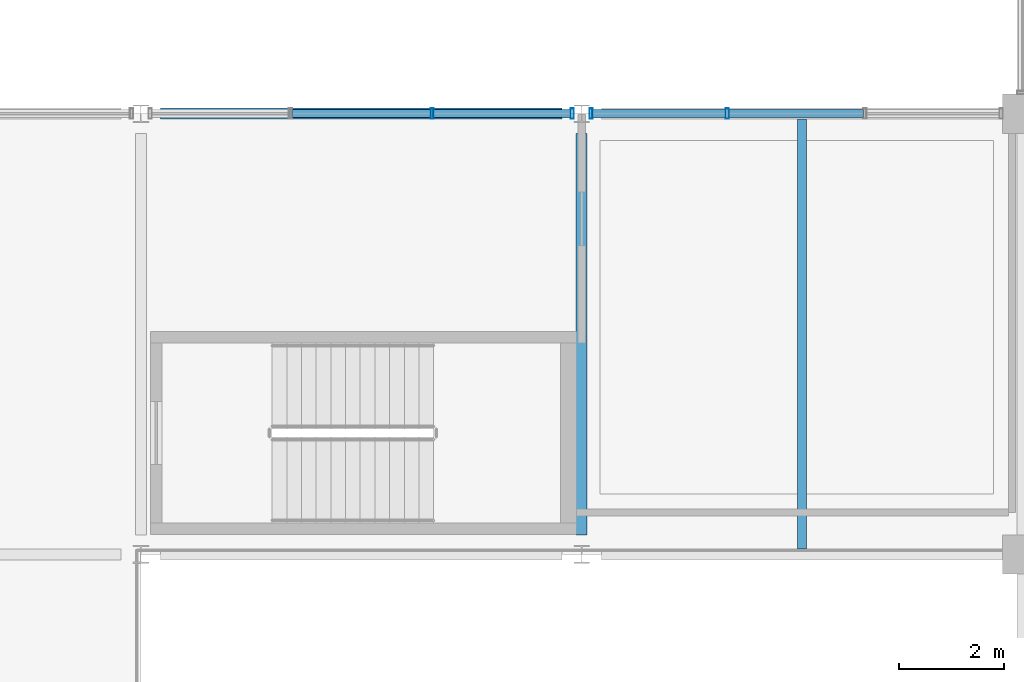
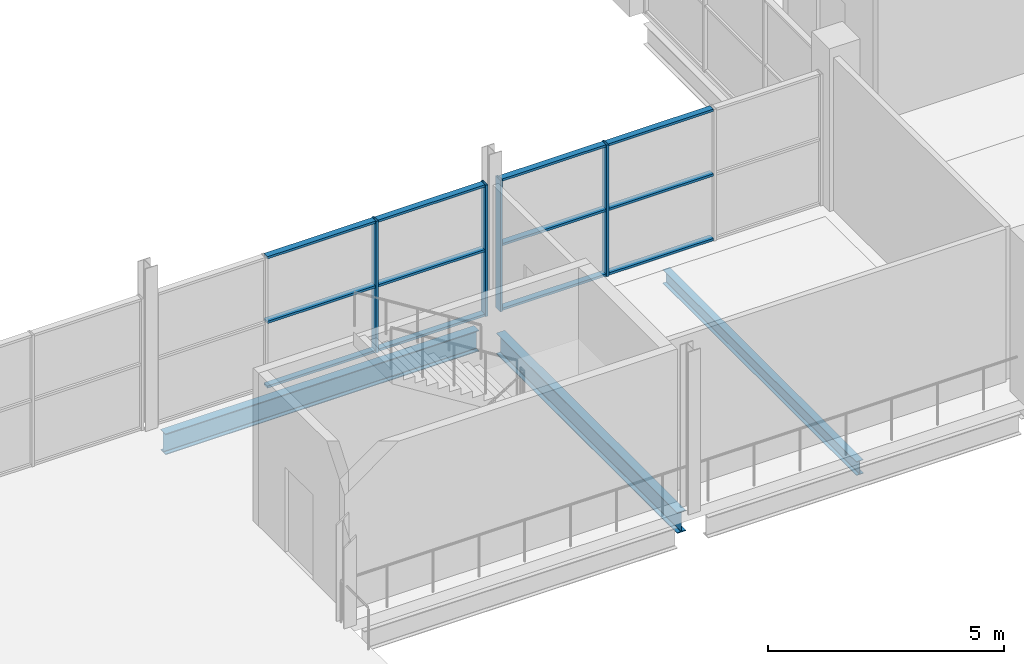
# One storey, part 51 of 161: 16 members, 3 beams, 2 elements without a shape of their own.
"""IFC4 building model written with IfcOpenShell, lengths in metres."""

from ifc_helpers import new_model, si_unit, direction, frame, origin, origin_2d, place, context, subcontext, project, spatial, hollow_rectangle, i_section, extrude, material, material_profile, profile_set, type_object, element, aggregate, save


model = new_model("IFC4")

# Units and contexts
model_context = context("Model", 3, precision=1e-05, world=origin(), true_north=direction((0.0, 1.0)))
body_context = subcontext(model_context, "Body", "Model", "MODEL_VIEW")
ifc_project = project(units=[si_unit("LENGTHUNIT", "METRE"), si_unit("AREAUNIT", "SQUARE_METRE"), si_unit("VOLUMEUNIT", "CUBIC_METRE"), si_unit("PLANEANGLEUNIT", "RADIAN"), si_unit("MASSUNIT", "GRAM", prefix="KILO"), si_unit("THERMODYNAMICTEMPERATUREUNIT", "KELVIN")], contexts=[model_context])

# Site, building, storey
site_placement = place(None, origin())
site = spatial("IfcSite", under=ifc_project, at=site_placement, CompositionType="ELEMENT")
building_placement = place(site_placement, origin())
building = spatial("IfcBuilding", under=site, at=building_placement, Name="Nduvali Passage Aquatics Centre", CompositionType="ELEMENT")
storey_placement = place(building_placement, frame((0.0, 0.0, 4.800048828125)))
storey = spatial("IfcBuildingStorey", under=building, at=storey_placement, Name="L01", CompositionType="ELEMENT", Elevation=4.800048828125)

# Curtain wall, members
ifc_material_1 = material(Name="Aluminium EN AW-6063 T6", Category="aluminium")
curtain_wall_type = type_object("IfcCurtainWallType", Name="ENV-CW-DIVE", PredefinedType="NOTDEFINED", material=ifc_material_1)
curtain_wall_1_placement = place(storey_placement, origin())
curtain_wall_1 = element("IfcCurtainWall", 1, at=curtain_wall_1_placement, inside=storey, type_object=curtain_wall_type, Name="L01 Diving Gallery Clerestory CW 157", PredefinedType="NOTDEFINED")
ifc_material_profile_1 = material_profile(ifc_material_1, hollow_rectangle(XDim=0.06005859375, YDim=0.199951171875, WallThickness=0.00390625, at=origin_2d()), Name="ALU MULLION 60x200x4")
ifc_profile_set_1 = profile_set([ifc_material_profile_1], Name="Aluminium EN AW-6063 T6")
member_type_1 = type_object("IfcMemberType", Name="ENV-MEM-MUL80", PredefinedType="MULLION", material=ifc_profile_set_1)
member_1_placement = place(storey_placement, frame((13.949951171875, 84.0, 0.0), z_axis=(0.0, 0.0, 1.0), x_axis=(1.0, 0.0, 0.0)))
member_1 = element("IfcMember", 2, at=member_1_placement, type_object=member_type_1, Name="Diving Gallery Clerestory CW Mullion 3", PredefinedType="MULLION", context=body_context, shape_type="SweptSolid", body=[
    extrude(hollow_rectangle(XDim=0.06005859375, YDim=0.199951171875, WallThickness=0.00390625, at=origin_2d()), origin(), (0.0, 0.0, 1.0), 3.396484375),
])
member_2_placement = place(storey_placement, frame((16.6201171875, 84.0, 0.0), z_axis=(0.0, 0.0, 1.0), x_axis=(1.0, 0.0, 0.0)))
member_2 = element("IfcMember", 3, at=member_2_placement, type_object=member_type_1, Name="Diving Gallery Clerestory CW Mullion 4", PredefinedType="MULLION", context=body_context, shape_type="SweptSolid", body=[
    extrude(hollow_rectangle(XDim=0.06005859375, YDim=0.199951171875, WallThickness=0.00390625, at=origin_2d()), origin(), (0.0, 0.0, 1.0), 3.396484375),
])

curtain_wall_2_placement = place(storey_placement, origin())
curtain_wall_2 = element("IfcCurtainWall", 4, at=curtain_wall_2_placement, inside=storey, type_object=curtain_wall_type, Name="L01 Diving Gallery Clerestory CW 159", PredefinedType="NOTDEFINED")
member_3_placement = place(storey_placement, frame((16.97998046875, 84.0, 0.0), z_axis=(0.0, 0.0, 1.0), x_axis=(1.0, 0.0, 0.0)))
member_3 = element("IfcMember", 5, at=member_3_placement, type_object=member_type_1, Name="Diving Gallery Clerestory CW Mullion 1", PredefinedType="MULLION", context=body_context, shape_type="SweptSolid", body=[
    extrude(hollow_rectangle(XDim=0.06005859375, YDim=0.199951171875, WallThickness=0.00390625, at=origin_2d()), origin(), (0.0, 0.0, 1.0), 3.396484375),
])
member_4_placement = place(storey_placement, frame((19.574951171875, 84.0, 0.0), z_axis=(0.0, 0.0, 1.0), x_axis=(1.0, 0.0, 0.0)))
member_4 = element("IfcMember", 6, at=member_4_placement, type_object=member_type_1, Name="Diving Gallery Clerestory CW Mullion 2", PredefinedType="MULLION", context=body_context, shape_type="SweptSolid", body=[
    extrude(hollow_rectangle(XDim=0.06005859375, YDim=0.199951171875, WallThickness=0.00390625, at=origin_2d()), origin(), (0.0, 0.0, 1.0), 3.396484375),
])

# Member
ifc_material_profile_2 = material_profile(ifc_material_1, hollow_rectangle(XDim=0.14990234375, YDim=0.06005859375, WallThickness=0.00390625, at=origin_2d()), Name="ALU TRANSOM 150x60x4")
ifc_profile_set_2 = profile_set([ifc_material_profile_2], Name="Aluminium EN AW-6063 T6")
member_type_2 = type_object("IfcMemberType", Name="ENV-MEM-TRN80", PredefinedType="USERDEFINED", material=ifc_profile_set_2)
member_5_placement = place(storey_placement, frame((11.280029296875, 84.0, 0.030029296875), z_axis=(1.0, 0.0, 0.0), x_axis=(0.0, 1.0, 0.0)))
member_5 = element("IfcMember", 7, at=member_5_placement, type_object=member_type_2, Name="Diving Gallery Clerestory CW Transom B2-R0", ObjectType="TRANSOM", PredefinedType="USERDEFINED", context=body_context, shape_type="SweptSolid", body=[
    extrude(hollow_rectangle(XDim=0.14990234375, YDim=0.06005859375, WallThickness=0.00390625, at=origin_2d()), origin(), (0.0, 0.0, 1.0), 2.639892578125),
])

member_6_placement = place(storey_placement, frame((11.280029296875, 84.0, 1.6982421875), z_axis=(1.0, 0.0, 0.0), x_axis=(0.0, 1.0, 0.0)))
member_6 = element("IfcMember", 8, at=member_6_placement, type_object=member_type_2, Name="Diving Gallery Clerestory CW Transom B2-R1", ObjectType="TRANSOM", PredefinedType="USERDEFINED", context=body_context, shape_type="SweptSolid", body=[
    extrude(hollow_rectangle(XDim=0.14990234375, YDim=0.06005859375, WallThickness=0.00390625, at=origin_2d()), origin(), (0.0, 0.0, 1.0), 2.639892578125),
])

member_7_placement = place(storey_placement, frame((11.280029296875, 84.0, 3.366455078125), z_axis=(1.0, 0.0, 0.0), x_axis=(0.0, 1.0, 0.0)))
member_7 = element("IfcMember", 9, at=member_7_placement, type_object=member_type_2, Name="Diving Gallery Clerestory CW Transom B2-R2", ObjectType="TRANSOM", PredefinedType="USERDEFINED", context=body_context, shape_type="SweptSolid", body=[
    extrude(hollow_rectangle(XDim=0.14990234375, YDim=0.06005859375, WallThickness=0.00390625, at=origin_2d()), origin(), (0.0, 0.0, 1.0), 2.639892578125),
])

member_8_placement = place(storey_placement, frame((13.97998046875, 84.0, 0.030029296875), z_axis=(1.0, 0.0, 0.0), x_axis=(0.0, 1.0, 0.0)))
member_8 = element("IfcMember", 10, at=member_8_placement, type_object=member_type_2, Name="Diving Gallery Clerestory CW Transom B3-R0", ObjectType="TRANSOM", PredefinedType="USERDEFINED", context=body_context, shape_type="SweptSolid", body=[
    extrude(hollow_rectangle(XDim=0.14990234375, YDim=0.06005859375, WallThickness=0.00390625, at=origin_2d()), origin(), (0.0, 0.0, 1.0), 2.610107421875),
])

member_9_placement = place(storey_placement, frame((13.97998046875, 84.0, 1.6982421875), z_axis=(1.0, 0.0, 0.0), x_axis=(0.0, 1.0, 0.0)))
member_9 = element("IfcMember", 11, at=member_9_placement, type_object=member_type_2, Name="Diving Gallery Clerestory CW Transom B3-R1", ObjectType="TRANSOM", PredefinedType="USERDEFINED", context=body_context, shape_type="SweptSolid", body=[
    extrude(hollow_rectangle(XDim=0.14990234375, YDim=0.06005859375, WallThickness=0.00390625, at=origin_2d()), origin(), (0.0, 0.0, 1.0), 2.610107421875),
])

member_10_placement = place(storey_placement, frame((13.97998046875, 84.0, 3.366455078125), z_axis=(1.0, 0.0, 0.0), x_axis=(0.0, 1.0, 0.0)))
member_10 = element("IfcMember", 12, at=member_10_placement, type_object=member_type_2, Name="Diving Gallery Clerestory CW Transom B3-R2", ObjectType="TRANSOM", PredefinedType="USERDEFINED", context=body_context, shape_type="SweptSolid", body=[
    extrude(hollow_rectangle(XDim=0.14990234375, YDim=0.06005859375, WallThickness=0.00390625, at=origin_2d()), origin(), (0.0, 0.0, 1.0), 2.610107421875),
])

aggregate(curtain_wall_1, [member_1, member_2, member_5, member_6, member_7, member_8, member_9, member_10])

member_11_placement = place(storey_placement, frame((17.010009765625, 84.0, 0.030029296875), z_axis=(1.0, 0.0, 0.0), x_axis=(0.0, 1.0, 0.0)))
member_11 = element("IfcMember", 13, at=member_11_placement, type_object=member_type_2, Name="Diving Gallery Clerestory CW Transom B1-R0", ObjectType="TRANSOM", PredefinedType="USERDEFINED", context=body_context, shape_type="SweptSolid", body=[
    extrude(hollow_rectangle(XDim=0.14990234375, YDim=0.06005859375, WallThickness=0.00390625, at=origin_2d()), origin(), (0.0, 0.0, 1.0), 2.534912109375),
])

member_12_placement = place(storey_placement, frame((17.010009765625, 84.0, 1.6982421875), z_axis=(1.0, 0.0, 0.0), x_axis=(0.0, 1.0, 0.0)))
member_12 = element("IfcMember", 14, at=member_12_placement, type_object=member_type_2, Name="Diving Gallery Clerestory CW Transom B1-R1", ObjectType="TRANSOM", PredefinedType="USERDEFINED", context=body_context, shape_type="SweptSolid", body=[
    extrude(hollow_rectangle(XDim=0.14990234375, YDim=0.06005859375, WallThickness=0.00390625, at=origin_2d()), origin(), (0.0, 0.0, 1.0), 2.534912109375),
])

member_13_placement = place(storey_placement, frame((17.010009765625, 84.0, 3.366455078125), z_axis=(1.0, 0.0, 0.0), x_axis=(0.0, 1.0, 0.0)))
member_13 = element("IfcMember", 15, at=member_13_placement, type_object=member_type_2, Name="Diving Gallery Clerestory CW Transom B1-R2", ObjectType="TRANSOM", PredefinedType="USERDEFINED", context=body_context, shape_type="SweptSolid", body=[
    extrude(hollow_rectangle(XDim=0.14990234375, YDim=0.06005859375, WallThickness=0.00390625, at=origin_2d()), origin(), (0.0, 0.0, 1.0), 2.534912109375),
])

member_14_placement = place(storey_placement, frame((19.60498046875, 84.0, 0.030029296875), z_axis=(1.0, 0.0, 0.0), x_axis=(0.0, 1.0, 0.0)))
member_14 = element("IfcMember", 16, at=member_14_placement, type_object=member_type_2, Name="Diving Gallery Clerestory CW Transom B2-R0", ObjectType="TRANSOM", PredefinedType="USERDEFINED", context=body_context, shape_type="SweptSolid", body=[
    extrude(hollow_rectangle(XDim=0.14990234375, YDim=0.06005859375, WallThickness=0.00390625, at=origin_2d()), origin(), (0.0, 0.0, 1.0), 2.56494140625),
])

member_15_placement = place(storey_placement, frame((19.60498046875, 84.0, 1.6982421875), z_axis=(1.0, 0.0, 0.0), x_axis=(0.0, 1.0, 0.0)))
member_15 = element("IfcMember", 17, at=member_15_placement, type_object=member_type_2, Name="Diving Gallery Clerestory CW Transom B2-R1", ObjectType="TRANSOM", PredefinedType="USERDEFINED", context=body_context, shape_type="SweptSolid", body=[
    extrude(hollow_rectangle(XDim=0.14990234375, YDim=0.06005859375, WallThickness=0.00390625, at=origin_2d()), origin(), (0.0, 0.0, 1.0), 2.56494140625),
])

member_16_placement = place(storey_placement, frame((19.60498046875, 84.0, 3.366455078125), z_axis=(1.0, 0.0, 0.0), x_axis=(0.0, 1.0, 0.0)))
member_16 = element("IfcMember", 18, at=member_16_placement, type_object=member_type_2, Name="Diving Gallery Clerestory CW Transom B2-R2", ObjectType="TRANSOM", PredefinedType="USERDEFINED", context=body_context, shape_type="SweptSolid", body=[
    extrude(hollow_rectangle(XDim=0.14990234375, YDim=0.06005859375, WallThickness=0.00390625, at=origin_2d()), origin(), (0.0, 0.0, 1.0), 2.56494140625),
])

aggregate(curtain_wall_2, [member_3, member_4, member_11, member_12, member_13, member_14, member_15, member_16])

# Beams
ifc_material_2 = material(Name="Steel S355", Category="steel")
ifc_material_profile_3 = material_profile(ifc_material_2, i_section(OverallWidth=0.210693359375, OverallDepth=0.53955078125, WebThickness=0.01171875, FlangeThickness=0.018798828125, FilletRadius=0.0126953125, at=origin_2d()), Name="UKB 533x210x109")
ifc_profile_set_3 = profile_set([ifc_material_profile_3], Name="Steel S355")
beam_type_1 = type_object("IfcBeamType", Name="STR-BM-UKB533", PredefinedType="BEAM", material=ifc_profile_set_3)
beam_1_placement = place(storey_placement, frame((8.77490234375, 84.0, -0.553955078125), z_axis=(1.0, 0.0, 0.0), x_axis=(0.0, 1.0, 0.0)))
element("IfcBeam", 19, at=beam_1_placement, inside=storey, type_object=beam_type_1, Name="L01 Primary X-Girder B6-0509", PredefinedType="BEAM", context=body_context, shape_type="SweptSolid", body=[
    extrude(i_section(OverallWidth=0.210693359375, OverallDepth=0.53955078125, WebThickness=0.01171875, FlangeThickness=0.018798828125, FilletRadius=0.0126953125, at=origin_2d()), origin(), (0.0, 0.0, 1.0), 7.650146484375),
])
beam_2_placement = place(storey_placement, frame((16.800048828125, 75.97509765625, -0.553955078125), z_axis=(0.0, 1.0, 0.0), x_axis=(-1.0, 0.0, 0.0)))
element("IfcBeam", 20, at=beam_2_placement, inside=storey, type_object=beam_type_1, Name="L01 Primary Y-Girder B6-0567", PredefinedType="BEAM", context=body_context, shape_type="SweptSolid", body=[
    extrude(i_section(OverallWidth=0.210693359375, OverallDepth=0.53955078125, WebThickness=0.01171875, FlangeThickness=0.018798828125, FilletRadius=0.0126953125, at=origin_2d()), origin(), (0.0, 0.0, 1.0), 7.64990234375),
])
ifc_material_profile_4 = material_profile(ifc_material_2, i_section(OverallWidth=0.172119140625, OverallDepth=0.35791015625, WebThickness=0.008056640625, FlangeThickness=0.012939453125, FilletRadius=0.01025390625, at=origin_2d()), Name="UKB 356x171x57")
ifc_profile_set_4 = profile_set([ifc_material_profile_4], Name="Steel S355")
beam_type_2 = type_object("IfcBeamType", Name="STR-JST-UKB356", PredefinedType="JOIST", material=ifc_profile_set_4)
beam_3_placement = place(storey_placement, frame((21.0, 75.705322265625, -0.463134765625), z_axis=(0.0, 1.0, 0.0), x_axis=(-1.0, 0.0, 0.0)))
element("IfcBeam", 21, at=beam_3_placement, inside=storey, type_object=beam_type_2, Name="L01 Secondary Joist J2-0787", PredefinedType="JOIST", context=body_context, shape_type="SweptSolid", body=[
    extrude(i_section(OverallWidth=0.172119140625, OverallDepth=0.35791015625, WebThickness=0.008056640625, FlangeThickness=0.012939453125, FilletRadius=0.01025390625, at=origin_2d()), origin(), (0.0, 0.0, 1.0), 8.189208984375),
])

save(model, "model.ifc")
